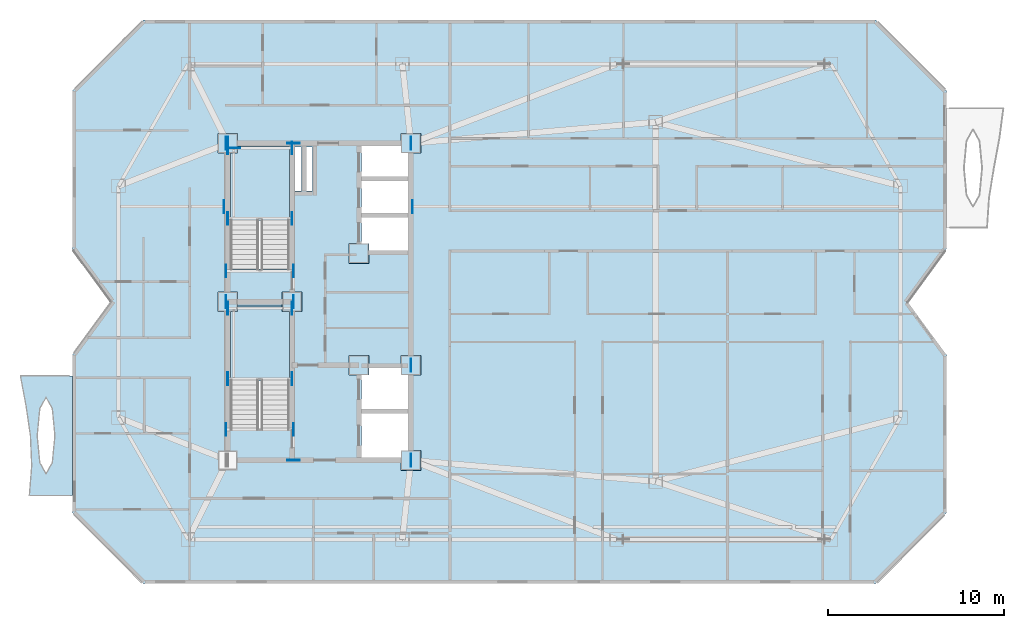
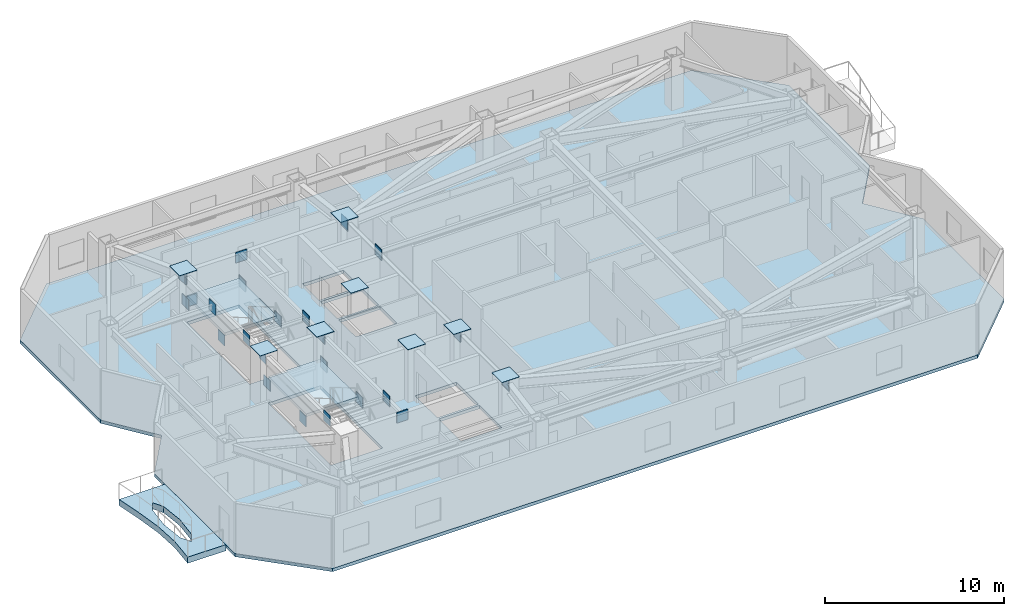
# One storey, part 2 of 10: 34 plates, 4 slabs, 2 elements without a shape of their own.
"""IFC4 building model written with IfcOpenShell, lengths in metres."""

from ifc_helpers import new_model, si_unit, direction, frame, origin, origin_2d, place, context, subcontext, project, spatial, polyline, rectangle, outline, extrude, material, layer, layer_set, type_object, element, aggregate, save


model = new_model("IFC4")

# Units and contexts
model_context = context("Model", 3, precision=1e-05, world=origin(), true_north=direction((0.0, 1.0)))
body_context = subcontext(model_context, "Body", "Model", "MODEL_VIEW")
ifc_project = project(units=[si_unit("LENGTHUNIT", "METRE"), si_unit("AREAUNIT", "SQUARE_METRE"), si_unit("VOLUMEUNIT", "CUBIC_METRE"), si_unit("PLANEANGLEUNIT", "RADIAN"), si_unit("MASSUNIT", "GRAM", prefix="KILO")], contexts=[model_context])

# Site, building, storey
site_placement = place(None, origin())
site = spatial("IfcSite", under=ifc_project, at=site_placement, CompositionType="ELEMENT")
building_placement = place(site_placement, origin())
building = spatial("IfcBuilding", under=site, at=building_placement, Name="Khamvora Tower", CompositionType="ELEMENT")
storey_placement = place(building_placement, frame((0.0, 0.0, 228.14990234375)))
storey = spatial("IfcBuildingStorey", under=building, at=storey_placement, Name="L58", CompositionType="ELEMENT", Elevation=228.14990234375)

# Plates
ifc_material_1 = material(Name="Steel S355", Category="steel")
ifc_layer_1 = layer(ifc_material_1, 0.02490234375)
ifc_layer_set_1 = layer_set([ifc_layer_1], Name="Steel S355")
plate_type_1 = type_object("IfcPlateType", Name="PL-CAP-25", PredefinedType="SHEET", material=ifc_layer_set_1)
for number, where, z_axis, x_axis, name in (
    (1, (32.64990234375, 28.0, 3.625732421875), (0.0, 0.0, 1.0), (1.0, 0.0, 0.0), "L58 hollow section steel end cap plate 0010"),
    (2, (39.39990234375, 19.0, 3.625732421875), (0.0, 0.0, 1.0), (1.0, 0.0, 0.0), "L58 hollow section steel end cap plate 0016"),
    (3, (29.0, 28.0, 3.625732421875), (0.0, 0.0, 1.0), (1.0, 0.0, 0.0), "L58 hollow section steel end cap plate 0022"),
    (4, (36.449951171875, 24.39990234375, 3.625732421875), (0.0, 0.0, 1.0), (1.0, 0.0, 0.0), "L58 hollow section steel end cap plate 0028"),
    (5, (39.39990234375, 24.39990234375, 3.625732421875), (0.0, 0.0, 1.0), (1.0, 0.0, 0.0), "L58 hollow section steel end cap plate 0034"),
    (6, (29.0, 37.0, 3.625732421875), (0.0, 0.0, 1.0), (1.0, 0.0, 0.0), "L58 hollow section steel end cap plate 0040"),
    (7, (36.449951171875, 30.75, 3.625732421875), (0.0, 0.0, 1.0), (1.0, 0.0, 0.0), "L58 hollow section steel end cap plate 0046"),
    (8, (39.39990234375, 37.0, 3.625732421875), (0.0, 0.0, 1.0), (1.0, 0.0, 0.0), "L58 hollow section steel end cap plate 0052"),
):
    element("IfcPlate", number, at=place(storey_placement, frame(where, z_axis=z_axis, x_axis=x_axis)), inside=storey, type_object=plate_type_1, Name=name, PredefinedType="SHEET", context=body_context, shape_type="SweptSolid", body=[
        extrude(rectangle(XDim=1.1298828125, YDim=1.1298828125, at=origin_2d()), origin(), (0.0, 0.0, 1.0), 0.02490234375),
    ])
ifc_material_2 = material(Name="Steel S460", Category="steel")
ifc_layer_2 = layer(ifc_material_2, 0.034912109375)
ifc_layer_set_2 = layer_set([ifc_layer_2], Name="Steel S460")
plate_type_2 = type_object("IfcPlateType", Name="PL-EMB-35", PredefinedType="SHEET", material=ifc_layer_set_2)
for number, where, z_axis, x_axis, name in (
    (9, (29.0, 23.635009765625, 1.13427734375), (0.0, 0.0, 1.0), (1.0, 0.0, 0.0), "L58 core shear wall cast-in embed plate 1688"),
    (10, (32.64990234375, 23.635009765625, 1.13427734375), (0.0, 0.0, 1.0), (1.0, 0.0, 0.0), "L58 core shear wall cast-in embed plate 1689"),
    (11, (29.0, 27.6298828125, 1.13427734375), (0.0, 0.0, 1.0), (1.0, 0.0, 0.0), "L58 core shear wall cast-in embed plate 1690"),
    (12, (32.64990234375, 27.6298828125, 1.13427734375), (0.0, 0.0, 1.0), (1.0, 0.0, 0.0), "L58 core shear wall cast-in embed plate 1691"),
    (13, (29.0, 32.735107421875, 1.13427734375), (0.0, 0.0, 1.0), (1.0, 0.0, 0.0), "L58 core shear wall cast-in embed plate 1692"),
    (14, (32.64990234375, 32.735107421875, 1.13427734375), (0.0, 0.0, 1.0), (1.0, 0.0, 0.0), "L58 core shear wall cast-in embed plate 1693"),
    (15, (29.0, 36.72998046875, 1.13427734375), (0.0, 0.0, 1.0), (1.0, 0.0, 0.0), "L58 core shear wall cast-in embed plate 1694"),
    (16, (32.64990234375, 36.72998046875, 1.13427734375), (0.0, 0.0, 1.0), (1.0, 0.0, 0.0), "L58 core shear wall cast-in embed plate 1695"),
):
    element("IfcPlate", number, at=place(storey_placement, frame(where, z_axis=z_axis, x_axis=x_axis)), inside=storey, type_object=plate_type_2, Name=name, PredefinedType="SHEET", context=body_context, shape_type="SweptSolid", body=[
        extrude(rectangle(XDim=0.034912109375, YDim=0.719970703125, at=origin_2d()), origin(), (0.0, 0.0, 1.0), 0.719970703125),
    ])
plate_1_placement = place(storey_placement, frame((29.35009765625, 36.72998046875, 1.13427734375), z_axis=(0.0, 0.0, 1.0), x_axis=(1.0, 0.0, 0.0)))
element("IfcPlate", 17, at=plate_1_placement, inside=storey, type_object=plate_type_2, Name="L58 core shear wall cast-in embed plate 1696", PredefinedType="SHEET", context=body_context, shape_type="SweptSolid", body=[
    extrude(rectangle(XDim=0.719970703125, YDim=0.034912109375, at=origin_2d()), origin(), (0.0, 0.0, 1.0), 0.719970703125),
])
for number, where, z_axis, x_axis, name in (
    (18, (39.39990234375, 19.0, 2.72314453125), (0.0, 0.0, 1.0), (1.0, 0.0, 0.0), "L58 core shear wall cast-in embed plate 1698"),
    (19, (29.0, 37.0, 2.72314453125), (0.0, 0.0, 1.0), (1.0, 0.0, 0.0), "L58 core shear wall cast-in embed plate 1699"),
    (20, (39.39990234375, 37.0, 2.72314453125), (0.0, 0.0, 1.0), (1.0, 0.0, 0.0), "L58 core shear wall cast-in embed plate 1700"),
    (21, (28.89990234375, 28.0, 2.80419921875), (0.0, 0.0, 1.0), (1.0, 0.0, 0.0), "L58 core shear wall cast-in embed plate 1702"),
    (22, (28.89990234375, 37.0, 2.80419921875), (0.0, 0.0, 1.0), (1.0, 0.0, 0.0), "L58 core shear wall cast-in embed plate 1703"),
):
    element("IfcPlate", number, at=place(storey_placement, frame(where, z_axis=z_axis, x_axis=x_axis)), inside=storey, type_object=plate_type_2, Name=name, PredefinedType="SHEET", context=body_context, shape_type="SweptSolid", body=[
        extrude(rectangle(XDim=0.034912109375, YDim=0.719970703125, at=origin_2d()), origin(), (0.0, 0.0, 1.0), 0.719970703125),
    ])
plate_2_placement = place(storey_placement, frame((32.72998046875, 19.0, 2.80419921875), z_axis=(0.0, 0.0, 1.0), x_axis=(1.0, 0.0, 0.0)))
element("IfcPlate", 23, at=plate_2_placement, inside=storey, type_object=plate_type_2, Name="L58 core shear wall cast-in embed plate 1704", PredefinedType="SHEET", context=body_context, shape_type="SweptSolid", body=[
    extrude(rectangle(XDim=0.719970703125, YDim=0.034912109375, at=origin_2d()), origin(), (0.0, 0.0, 1.0), 0.719970703125),
])
plate_3_placement = place(storey_placement, frame((32.72998046875, 28.0, 2.80419921875), z_axis=(0.0, 0.0, 1.0), x_axis=(1.0, 0.0, 0.0)))
element("IfcPlate", 24, at=plate_3_placement, inside=storey, type_object=plate_type_2, Name="L58 core shear wall cast-in embed plate 1705", PredefinedType="SHEET", context=body_context, shape_type="SweptSolid", body=[
    extrude(rectangle(XDim=0.034912109375, YDim=0.719970703125, at=origin_2d()), origin(), (0.0, 0.0, 1.0), 0.719970703125),
])
plate_4_placement = place(storey_placement, frame((32.72998046875, 37.0, 2.80419921875), z_axis=(0.0, 0.0, 1.0), x_axis=(1.0, 0.0, 0.0)))
element("IfcPlate", 25, at=plate_4_placement, inside=storey, type_object=plate_type_2, Name="L58 core shear wall cast-in embed plate 1706", PredefinedType="SHEET", context=body_context, shape_type="SweptSolid", body=[
    extrude(rectangle(XDim=0.719970703125, YDim=0.034912109375, at=origin_2d()), origin(), (0.0, 0.0, 1.0), 0.719970703125),
])
for number, where, z_axis, x_axis, name in (
    (26, (39.39990234375, 19.0, 2.80419921875), (0.0, 0.0, 1.0), (1.0, 0.0, 0.0), "L58 core shear wall cast-in embed plate 1707"),
    (27, (39.39990234375, 24.39990234375, 2.80419921875), (0.0, 0.0, 1.0), (1.0, 0.0, 0.0), "L58 core shear wall cast-in embed plate 1708"),
    (28, (39.39990234375, 37.0, 2.80419921875), (0.0, 0.0, 1.0), (1.0, 0.0, 0.0), "L58 core shear wall cast-in embed plate 1709"),
    (29, (28.89990234375, 20.75, 2.9443359375), (0.0, 0.0, 1.0), (1.0, 0.0, 0.0), "L58 core shear wall cast-in embed plate 1710"),
    (30, (32.72998046875, 20.75, 2.9443359375), (0.0, 0.0, 1.0), (1.0, 0.0, 0.0), "L58 core shear wall cast-in embed plate 1711"),
    (31, (28.89990234375, 29.75, 2.9443359375), (0.0, 0.0, 1.0), (1.0, 0.0, 0.0), "L58 core shear wall cast-in embed plate 1712"),
    (32, (32.72998046875, 29.75, 2.9443359375), (0.0, 0.0, 1.0), (1.0, 0.0, 0.0), "L58 core shear wall cast-in embed plate 1713"),
    (33, (28.800048828125, 33.39990234375, 2.89306640625), (0.0, 0.0, 1.0), (1.0, 0.0, 0.0), "L58 core shear wall cast-in embed plate 1714"),
    (34, (39.4990234375, 33.39990234375, 2.89306640625), (0.0, 0.0, 1.0), (1.0, 0.0, 0.0), "L58 core shear wall cast-in embed plate 1715"),
):
    element("IfcPlate", number, at=place(storey_placement, frame(where, z_axis=z_axis, x_axis=x_axis)), inside=storey, type_object=plate_type_2, Name=name, PredefinedType="SHEET", context=body_context, shape_type="SweptSolid", body=[
        extrude(rectangle(XDim=0.034912109375, YDim=0.719970703125, at=origin_2d()), origin(), (0.0, 0.0, 1.0), 0.719970703125),
    ])

# Slab
ifc_material_3 = material(Name="Concrete C40/50", Category="concrete")
ifc_layer_3 = layer(ifc_material_3, 0.419921875)
ifc_layer_set_3 = layer_set([ifc_layer_3], Name="Concrete C40/50")
slab_type_1 = type_object("IfcSlabType", Name="SLB-GRD-420", PredefinedType="FLOOR", material=ifc_layer_set_3)
slab_1_placement = place(storey_placement, frame((0.0, 0.0, -0.419921875)))
element("IfcSlab", 35, at=slab_1_placement, inside=storey, type_object=slab_type_1, Name="L58 external lens gallery slab WL1", PredefinedType="FLOOR", context=body_context, shape_type="SweptSolid", body=[
    extrude(outline(polyline([(20.199951171875, 17.0), (20.199951171875, 23.800048828125), (17.22998046875, 23.800048828125), (17.550048828125, 22.10009765625), (17.799072265625, 20.39990234375), (17.8720703125, 18.699951171875), (17.737060546875, 17.0), (20.199951171875, 17.0)]), holes=[polyline([(19.18896484375, 20.39990234375), (19.041015625, 21.93896484375), (18.68505859375, 22.575927734375), (18.3291015625, 21.93896484375), (18.180908203125, 20.39990234375), (18.3291015625, 18.861083984375), (18.68505859375, 18.22412109375), (19.041015625, 18.861083984375), (19.18896484375, 20.39990234375)])]), origin(), (0.0, 0.0, 1.0), 0.419921875),
])

# Stair, slab
stair_type_1 = type_object("IfcStairType", Name="STR-ST-01", PredefinedType="HALF_TURN_STAIR", material=ifc_material_3)
stair_1_placement = place(storey_placement, origin())
stair_1 = element("IfcStair", 36, at=stair_1_placement, inside=storey, type_object=stair_type_1, Name="L58 South Tower Exit Stair ST-01", PredefinedType="HALF_TURN_STAIR")
ifc_layer_4 = layer(ifc_material_3, 0.199951171875)
ifc_layer_set_4 = layer_set([ifc_layer_4], Name="Concrete C40/50")
slab_type_2 = type_object("IfcSlabType", Name="SLB-LND-200", PredefinedType="LANDING", material=ifc_layer_set_4)
slab_2_placement = place(storey_placement, frame((0.0, 0.0, 1.625)))
slab_2 = element("IfcSlab", 37, at=slab_2_placement, type_object=slab_type_2, Name="ST-01 landing 1", PredefinedType="LANDING", context=body_context, shape_type="SweptSolid", body=[
    extrude(outline(polyline([(32.5, 23.514892578125), (32.5, 27.75), (29.14990234375, 27.75), (29.14990234375, 23.514892578125), (32.5, 23.514892578125)])), origin(), (0.0, 0.0, 1.0), 0.2001953125),
])
aggregate(stair_1, [slab_2])

stair_type_2 = type_object("IfcStairType", Name="STR-ST-02", PredefinedType="HALF_TURN_STAIR", material=ifc_material_3)
stair_2_placement = place(storey_placement, origin())
stair_2 = element("IfcStair", 38, at=stair_2_placement, inside=storey, type_object=stair_type_2, Name="L58 North Tower Exit Stair ST-02", PredefinedType="HALF_TURN_STAIR")
slab_3_placement = place(storey_placement, frame((0.0, 0.0, 1.625)))
slab_3 = element("IfcSlab", 39, at=slab_3_placement, type_object=slab_type_2, Name="ST-02 landing 1", PredefinedType="LANDING", context=body_context, shape_type="SweptSolid", body=[
    extrude(outline(polyline([(32.5, 32.614990234375), (32.5, 36.85009765625), (29.14990234375, 36.85009765625), (29.14990234375, 32.614990234375), (32.5, 32.614990234375)])), origin(), (0.0, 0.0, 1.0), 0.2001953125),
])
aggregate(stair_2, [slab_3])

# Slab
ifc_material_4 = material(Name="Concrete C35/45", Category="concrete")
ifc_layer_5 = layer(ifc_material_4, 0.219970703125)
ifc_layer_set_5 = layer_set([ifc_layer_5], Name="Concrete C35/45")
slab_type_3 = type_object("IfcSlabType", Name="SLB-TYP-220", PredefinedType="FLOOR", material=ifc_layer_set_5)
slab_4_placement = place(storey_placement, frame((0.0, 0.0, -0.219970703125)))
element("IfcSlab", 40, at=slab_4_placement, inside=storey, type_object=slab_type_3, Name="L58 structural floor slab", PredefinedType="FLOOR", context=body_context, shape_type="SweptSolid", body=[
    extrude(outline(polyline([(24.199951171875, 12.0), (65.800048828125, 12.0), (69.800048828125, 16.0), (69.800048828125, 25.0), (67.60009765625, 28.0), (69.800048828125, 31.0), (69.800048828125, 40.0), (65.800048828125, 44.0), (24.199951171875, 44.0), (20.199951171875, 40.0), (20.199951171875, 31.0), (22.39990234375, 28.0), (20.199951171875, 25.0), (20.199951171875, 16.0), (24.199951171875, 12.0)]), holes=[polyline([(32.5, 20.760009765625), (32.5, 27.75), (29.14990234375, 27.75), (29.14990234375, 20.760009765625), (32.5, 20.760009765625)]), polyline([(32.5, 29.860107421875), (32.5, 36.85009765625), (29.14990234375, 36.85009765625), (29.14990234375, 29.860107421875), (32.5, 29.860107421875)]), polyline([(36.60009765625, 19.14990234375), (39.25, 19.14990234375), (39.25, 21.64990234375), (36.60009765625, 21.64990234375), (36.60009765625, 19.14990234375)]), polyline([(36.60009765625, 21.800048828125), (39.25, 21.800048828125), (39.25, 24.25), (36.60009765625, 24.25), (36.60009765625, 21.800048828125)]), polyline([(36.60009765625, 30.89990234375), (39.25, 30.89990234375), (39.25, 32.800048828125), (36.60009765625, 32.800048828125), (36.60009765625, 30.89990234375)]), polyline([(36.60009765625, 32.949951171875), (39.25, 32.949951171875), (39.25, 34.85009765625), (36.60009765625, 34.85009765625), (36.60009765625, 32.949951171875)]), polyline([(36.60009765625, 35.0), (39.25, 35.0), (39.25, 36.85009765625), (36.60009765625, 36.85009765625), (36.60009765625, 35.0)]), polyline([(32.800048828125, 34.300048828125), (33.199951171875, 34.300048828125), (33.199951171875, 36.800048828125), (32.800048828125, 36.800048828125), (32.800048828125, 34.300048828125)]), polyline([(33.47998046875, 34.300048828125), (33.820068359375, 34.300048828125), (33.820068359375, 36.800048828125), (33.47998046875, 36.800048828125), (33.47998046875, 34.300048828125)])]), origin(), (0.0, 0.0, 1.0), 0.219970703125),
])

save(model, "model.ifc")
